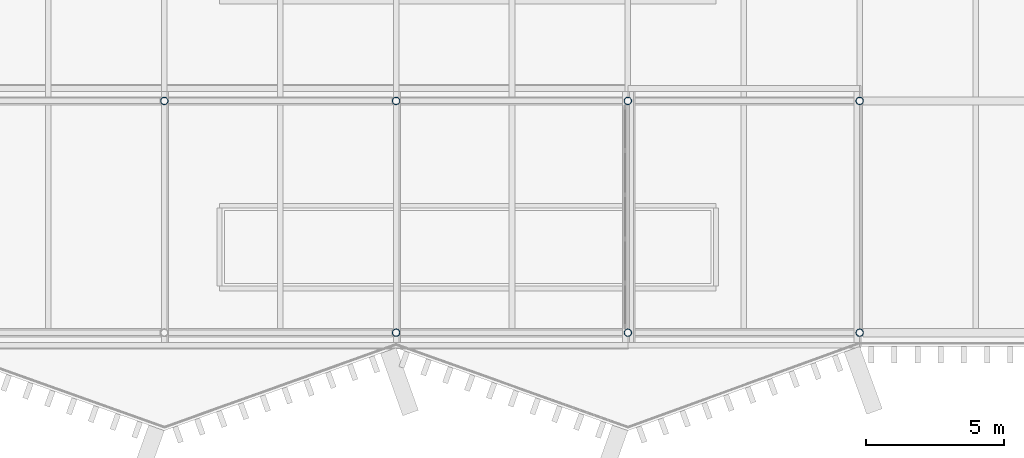
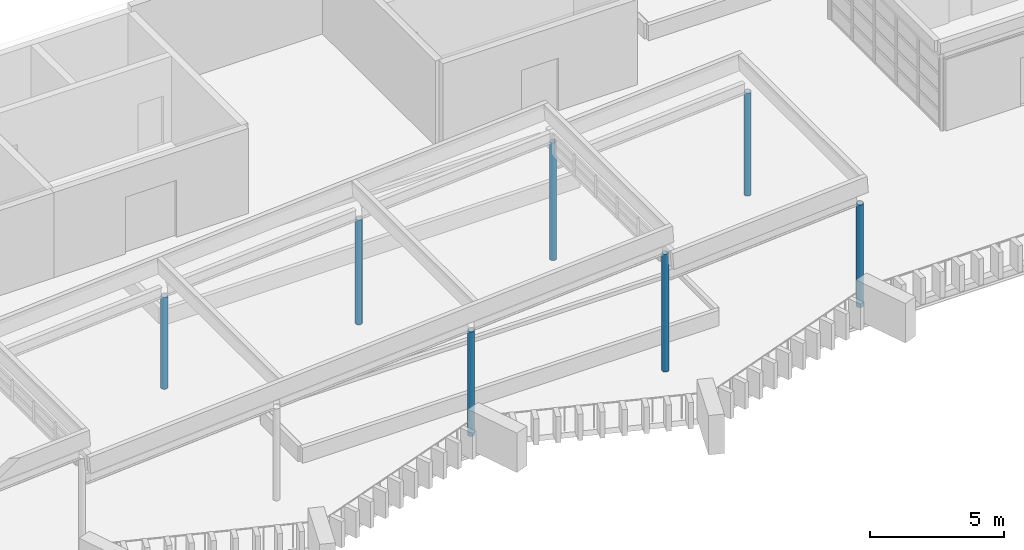
# One storey, part 2 of 51: 7 columns.
"""IFC4 building model written with IfcOpenShell, lengths in metres."""

from ifc_helpers import new_model, si_unit, direction, frame, origin, origin_2d, place, context, subcontext, project, spatial, hollow_circle, extrude, material, material_profile, profile_set, type_object, element, save


model = new_model("IFC4")

# Units and contexts
model_context = context("Model", 3, precision=1e-05, world=origin(), true_north=direction((0.0, 1.0)))
body_context = subcontext(model_context, "Body", "Model", "MODEL_VIEW")
ifc_project = project(units=[si_unit("LENGTHUNIT", "METRE"), si_unit("AREAUNIT", "SQUARE_METRE"), si_unit("VOLUMEUNIT", "CUBIC_METRE"), si_unit("PLANEANGLEUNIT", "RADIAN"), si_unit("MASSUNIT", "GRAM", prefix="KILO")], contexts=[model_context])

# Site, building, storey
site_placement = place(None, origin())
site = spatial("IfcSite", under=ifc_project, at=site_placement, CompositionType="ELEMENT")
building_placement = place(site_placement, origin())
building = spatial("IfcBuilding", under=site, at=building_placement, Name="Cresset Court Congress Hotel", CompositionType="ELEMENT")
storey_placement = place(building_placement, frame((0.0, 0.0, 18.60009765625)))
storey = spatial("IfcBuildingStorey", under=building, at=storey_placement, Name="L04", CompositionType="ELEMENT", Elevation=18.60009765625)

# Columns
ifc_material = material(Name="Structural steel Q355B", Category="steel")
ifc_material_profile = material_profile(ifc_material, hollow_circle(Radius=0.136474609375, WallThickness=0.011962890625, at=origin_2d()), Name="CHS273x12")
ifc_profile_set = profile_set([ifc_material_profile], Name="Structural steel Q355B")
column_type = type_object("IfcColumnType", Name="Steel column CHS273x12", PredefinedType="COLUMN", material=ifc_profile_set)
column_placement = place(storey_placement, frame((42.0, 8.39990234375, 0.0), z_axis=(0.0, 0.0, 1.0), x_axis=(1.0, 0.0, 0.0)))
element("IfcColumn", 1, at=column_placement, inside=storey, type_object=column_type, Name="Roof column 6B", PredefinedType="COLUMN", context=body_context, shape_type="SweptSolid", body=[
    extrude(hollow_circle(Radius=0.136474609375, WallThickness=0.011962890625, at=origin_2d()), origin(), (0.0, 0.0, 1.0), 4.18798828125),
])
for number, where, z_axis, x_axis, name in (
    (2, (50.39990234375, 0.0, 0.0), (0.0, 0.0, 1.0), (1.0, 0.0, 0.0), "Roof column 7A"),
    (3, (50.39990234375, 8.39990234375, 0.0), (0.0, 0.0, 1.0), (1.0, 0.0, 0.0), "Roof column 7B"),
):
    element("IfcColumn", number, at=place(storey_placement, frame(where, z_axis=z_axis, x_axis=x_axis)), inside=storey, type_object=column_type, Name=name, PredefinedType="COLUMN", context=body_context, shape_type="SweptSolid", body=[
        extrude(hollow_circle(Radius=0.136474609375, WallThickness=0.011962890625, at=origin_2d()), origin(), (0.0, 0.0, 1.0), 4.77587890625),
    ])
for number, where, z_axis, x_axis, name in (
    (4, (58.800048828125, 0.0, 0.0), (0.0, 0.0, 1.0), (1.0, 0.0, 0.0), "Roof column 8A"),
    (5, (58.800048828125, 8.39990234375, 0.0), (0.0, 0.0, 1.0), (1.0, 0.0, 0.0), "Roof column 8B"),
):
    element("IfcColumn", number, at=place(storey_placement, frame(where, z_axis=z_axis, x_axis=x_axis)), inside=storey, type_object=column_type, Name=name, PredefinedType="COLUMN", context=body_context, shape_type="SweptSolid", body=[
        extrude(hollow_circle(Radius=0.136474609375, WallThickness=0.011962890625, at=origin_2d()), origin(), (0.0, 0.0, 1.0), 5.364013671875),
    ])
for number, where, z_axis, x_axis, name in (
    (6, (67.199951171875, 0.0, 0.0), (0.0, 0.0, 1.0), (1.0, 0.0, 0.0), "Roof column 9A"),
    (7, (67.199951171875, 8.39990234375, 0.0), (0.0, 0.0, 1.0), (1.0, 0.0, 0.0), "Roof column 9B"),
):
    element("IfcColumn", number, at=place(storey_placement, frame(where, z_axis=z_axis, x_axis=x_axis)), inside=storey, type_object=column_type, Name=name, PredefinedType="COLUMN", context=body_context, shape_type="SweptSolid", body=[
        extrude(hollow_circle(Radius=0.136474609375, WallThickness=0.011962890625, at=origin_2d()), origin(), (0.0, 0.0, 1.0), 4.68798828125),
    ])

save(model, "model.ifc")
